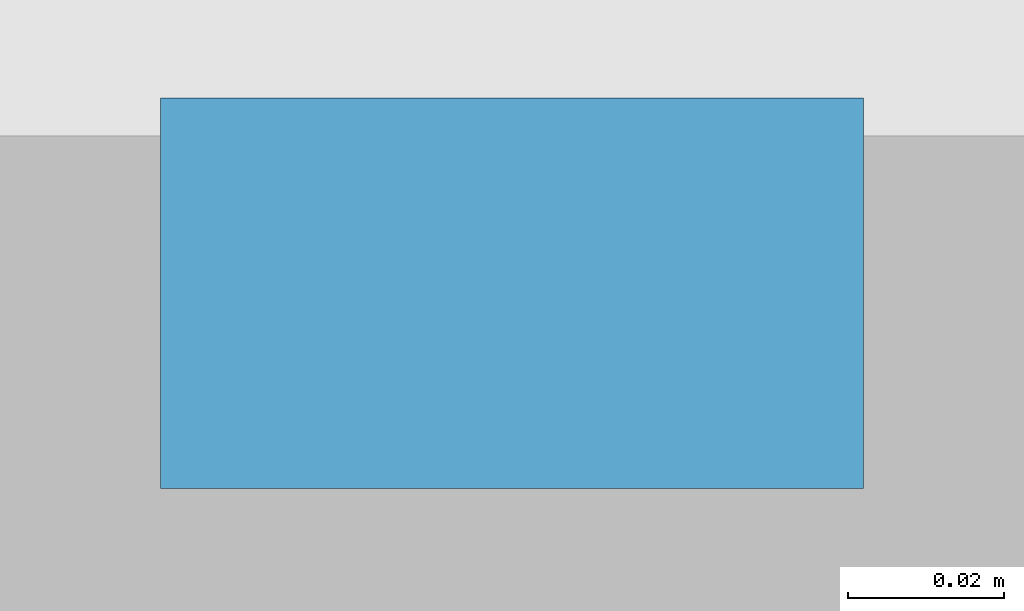
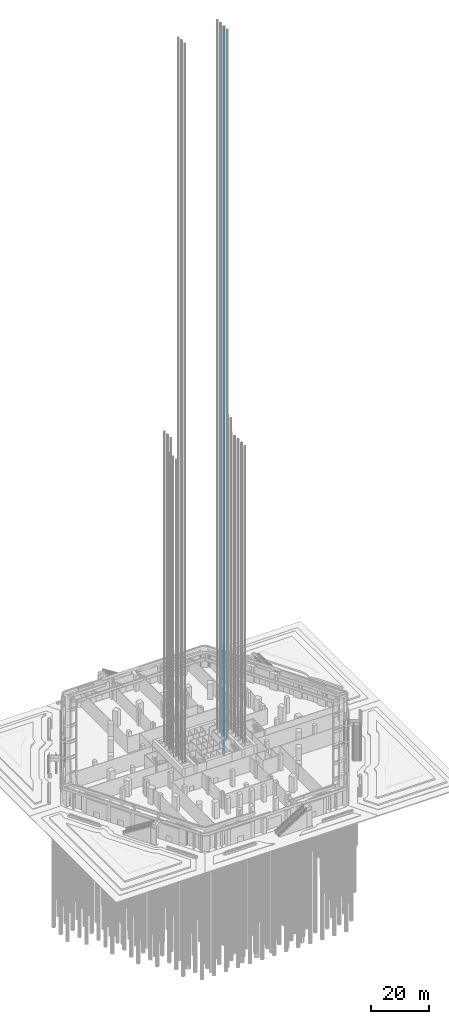
# One storey, part 48 of 68: 1 discrete accessory.
"""IFC4 building model written with IfcOpenShell, lengths in metres."""

from ifc_helpers import new_model, si_unit, direction, frame, origin, origin_2d, place, context, subcontext, project, spatial, rectangle, extrude, element, save


model = new_model("IFC4")

# Units and contexts
model_context = context("Model", 3, precision=1e-05, world=origin(), true_north=direction((0.0, 1.0)))
body_context = subcontext(model_context, "Body", "Model", "MODEL_VIEW")
ifc_project = project(units=[si_unit("LENGTHUNIT", "METRE"), si_unit("AREAUNIT", "SQUARE_METRE"), si_unit("VOLUMEUNIT", "CUBIC_METRE"), si_unit("PLANEANGLEUNIT", "RADIAN"), si_unit("MASSUNIT", "GRAM", prefix="KILO")], contexts=[model_context])

# Site, building, storey
site_placement = place(None, origin())
site = spatial("IfcSite", under=ifc_project, at=site_placement, CompositionType="ELEMENT")
building_placement = place(site_placement, origin())
building = spatial("IfcBuilding", under=site, at=building_placement, Name="Kolab Exchange Tower", CompositionType="ELEMENT")
storey_placement = place(building_placement, origin())
storey = spatial("IfcBuildingStorey", under=building, at=storey_placement, Name="L00", CompositionType="ELEMENT", Elevation=0.0)

# Discrete accessory
discrete_accessory_placement = place(storey_placement, frame((7.800048828125, 0.1298828125, -1.599853515625), z_axis=(0.0, 0.0, 1.0), x_axis=(1.0, 0.0, 0.0)))
element("IfcDiscreteAccessory", 1, at=discrete_accessory_placement, inside=storey, Name="Guide rail SV2-1", ObjectType="GUIDE RAIL", PredefinedType="USERDEFINED", context=body_context, shape_type="SweptSolid", body=[
    extrude(rectangle(XDim=0.090087890625, YDim=0.050048828125, at=origin_2d()), origin(), (0.0, 0.0, 1.0), 307.89990234375),
])

save(model, "model.ifc")
